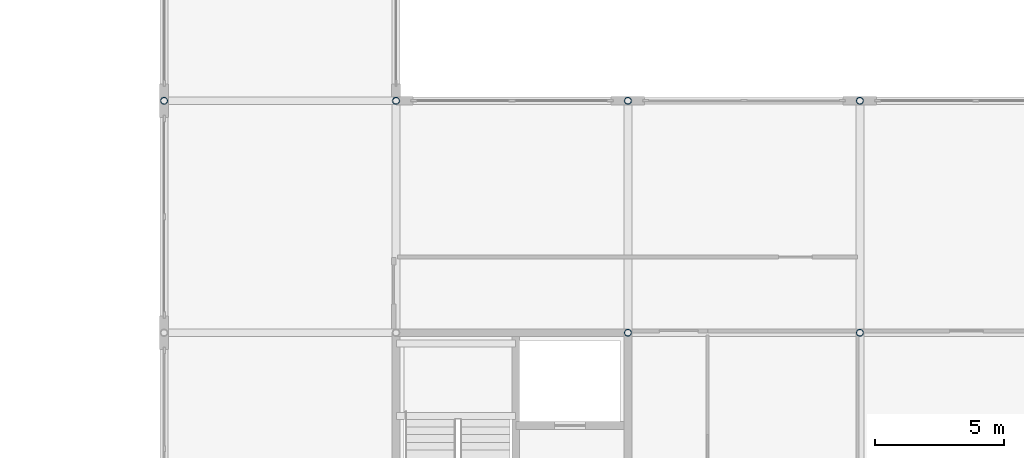
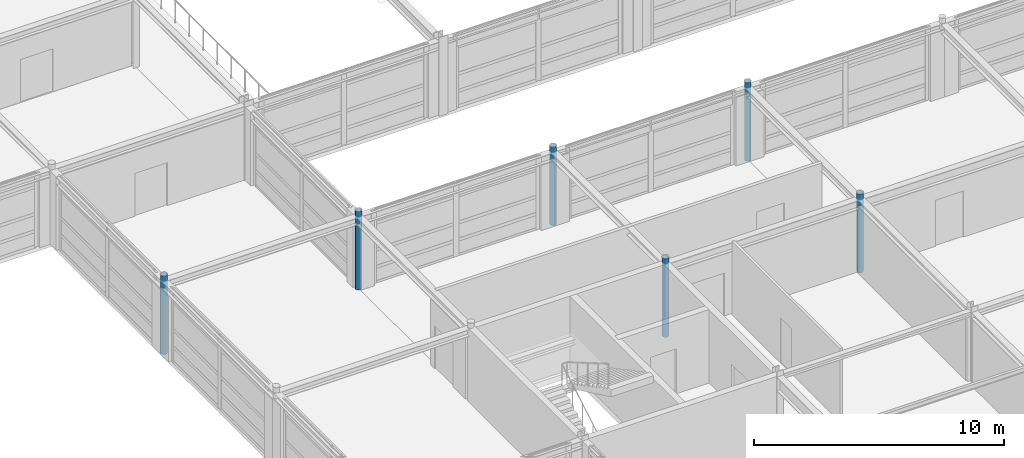
# One storey, part 8 of 79: 6 columns.
"""IFC4 building model written with IfcOpenShell, lengths in metres."""

import ifcopenshell
import ifcopenshell.guid

model = None  # the IFC model being written
_history = None  # IfcOwnerHistory: only IFC2X3 demands one
_inside = {}  # id of a spatial element -> (the spatial element, [elements in it])
_under = {}  # id of a project, library or spatial element -> (it, [spatial elements below it])
_declared = {}  # id of a project -> (the project, [libraries it declares])
_typed = {}  # id of a type object -> (the type object, [elements of that type])
_made_of = {}  # id of a material, layer set ... -> (it, [elements and type objects made of it])


def new_model(schema):
    """Start an empty IFC model of exactly this schema.

    Asked for "IFC4X3", IfcOpenShell would pick the latest addendum, in which some entities
    have other attributes; the version numbers below select the first issue.
    IFC2X3 requires an IfcOwnerHistory on every rooted entity: one is made here for all.
    """
    global model, _history
    if schema == "IFC4X3":
        model = ifcopenshell.file(schema_version=(4, 3, 0, 0))
    else:
        model = ifcopenshell.file(schema=schema)
    _inside.clear()
    _under.clear()
    _declared.clear()
    _typed.clear()
    _made_of.clear()
    _history = None
    if model.schema == "IFC2X3":
        org = make("IfcOrganization", Name="unknown")
        user = make(
            "IfcPersonAndOrganization",
            ThePerson=make("IfcPerson", FamilyName="unknown"),
            TheOrganization=org,
        )
        app = make(
            "IfcApplication",
            ApplicationDeveloper=org,
            Version="unknown",
            ApplicationFullName="unknown",
            ApplicationIdentifier="unknown",
        )
        _history = make(
            "IfcOwnerHistory",
            OwningUser=user,
            OwningApplication=app,
            ChangeAction="ADDED",
            CreationDate=0,
        )
    return model


def make(cls, **values):
    """One entity of the class cls with the attributes given. An attribute that is None is left unset."""
    return model.create_entity(
        cls, **{name: value for name, value in values.items() if value is not None}
    )


def rooted(cls, **values):
    """An entity with a GlobalId (a new one), such as an element, a storey or a relation."""
    return make(cls, GlobalId=ifcopenshell.guid.new(), OwnerHistory=_history, **values)


def si_unit(unit_type, name, prefix=None):
    """IfcSIUnit, for example si_unit("LENGTHUNIT", "METRE", prefix="MILLI")."""
    return make("IfcSIUnit", UnitType=unit_type, Prefix=prefix, Name=name)


def assignment(units):
    """IfcUnitAssignment: the units of a project."""
    return None if units is None else make("IfcUnitAssignment", Units=units)


def point(xyz):
    """IfcCartesianPoint."""
    return None if xyz is None else make("IfcCartesianPoint", Coordinates=xyz)


def direction(xyz):
    """IfcDirection."""
    return None if xyz is None else make("IfcDirection", DirectionRatios=xyz)


def frame(location, z_axis=None, x_axis=None):
    """IfcAxis2Placement3D, a coordinate frame: its origin and axes. An axis left out is left unset."""
    return make(
        "IfcAxis2Placement3D",
        Location=point(location),
        Axis=direction(z_axis),
        RefDirection=direction(x_axis),
    )


def frame_2d(location, x_axis=None):
    """IfcAxis2Placement2D, a coordinate frame in the plane: its origin and x axis."""
    return make(
        "IfcAxis2Placement2D", Location=point(location), RefDirection=direction(x_axis)
    )


def origin():
    """The frame at (0, 0, 0) with its axes left unset."""
    return frame((0.0, 0.0, 0.0))


def origin_2d():
    """The frame at (0, 0) in the plane with its x axis left unset."""
    return frame_2d((0.0, 0.0))


def place(relative_to, where):
    """IfcLocalPlacement: puts the frame where relative to a parent placement (None: the world)."""
    return make(
        "IfcLocalPlacement", PlacementRelTo=relative_to, RelativePlacement=where
    )


def context(
    kind, dimensions, precision=None, world=None, true_north=None, identifier=None
):
    """IfcGeometricRepresentationContext, for example the 3D "Model" context."""
    return make(
        "IfcGeometricRepresentationContext",
        ContextIdentifier=identifier,
        ContextType=kind,
        CoordinateSpaceDimension=dimensions,
        Precision=precision,
        WorldCoordinateSystem=world,
        TrueNorth=true_north,
    )


def subcontext(parent, identifier, kind, view, scale=None):
    """IfcGeometricRepresentationSubContext, for example "Body" below "Model"."""
    return make(
        "IfcGeometricRepresentationSubContext",
        ContextIdentifier=identifier,
        ContextType=kind,
        ParentContext=parent,
        TargetScale=scale,
        TargetView=view,
    )


def project(units=None, contexts=None):
    """IfcProject with its units and contexts."""
    return rooted(
        "IfcProject",
        Name="project",
        RepresentationContexts=contexts,
        UnitsInContext=assignment(units),
    )


def spatial(cls, under=None, at=None, **own):
    """A site, building, storey or space (cls), placed at a placement, below another one or the project."""
    s = rooted(cls, ObjectPlacement=at, **own)
    if under is not None:
        _under.setdefault(under.id(), (under, []))[1].append(s)
    return s


def profile(cls, at=None, kind="AREA", **sizes):
    """A parametric profile (cls). Its sizes go by their IFC names, for example OverallWidth=200.0."""
    return make(cls, ProfileType=kind, Position=at, **sizes)


def hollow_circle(**sizes):
    """IfcCircleHollowProfileDef."""
    return profile("IfcCircleHollowProfileDef", **sizes)


def extrude(swept, where, along, depth):
    """IfcExtrudedAreaSolid: the profile swept, set in the frame where, extruded along a direction by depth."""
    return make(
        "IfcExtrudedAreaSolid",
        SweptArea=swept,
        Position=where,
        ExtrudedDirection=direction(along),
        Depth=depth,
    )


def shape(context_of_items, identifier, shape_type, items):
    """IfcShapeRepresentation: the items that make up one representation, for example the "Body"."""
    return make(
        "IfcShapeRepresentation",
        ContextOfItems=context_of_items,
        RepresentationIdentifier=identifier,
        RepresentationType=shape_type,
        Items=items,
    )


def material(Name=None, Category=None):
    """IfcMaterial."""
    return make("IfcMaterial", Name=Name, Category=Category)


def material_profile(
    of_material, cross_section, Name=None, Category=None, Priority=None
):
    """IfcMaterialProfile: a cross section and its material."""
    return make(
        "IfcMaterialProfile",
        Name=Name,
        Material=of_material,
        Profile=cross_section,
        Priority=Priority,
        Category=Category,
    )


def profile_set(profiles, Name=None, composite=None):
    """IfcMaterialProfileSet."""
    return make(
        "IfcMaterialProfileSet",
        Name=Name,
        MaterialProfiles=profiles,
        CompositeProfile=composite,
    )


def made_of(thing, what):
    """Note that an element or type object is made of a material, layer set ...; save() writes the relation."""
    if what is not None:
        _made_of.setdefault(what.id(), (what, []))[1].append(thing)
    return thing


def type_object(cls, material=None, **own):
    """A type object (cls), such as IfcWallType, which elements share."""
    return made_of(rooted(cls, **own), material)


def element(
    cls,
    number,
    at=None,
    inside=None,
    cuts=None,
    type_object=None,
    material=None,
    context=None,
    identifier="Body",
    shape_type=None,
    held_by="IfcProductDefinitionShape",
    body=None,
    shapes=None,
    **own,
):
    """One element of the class cls, such as IfcWall. Its Tag is "e" and its number.

    at: its placement. inside: the storey or other place that contains it. cuts: it is an
    opening in that element (IfcRelVoidsElement). A single representation is given by context,
    identifier, shape_type and body (its items); several are given by shapes. held_by: the class
    of the entity that holds the representations. save() writes the other relations.
    """
    e = rooted(cls, Tag="e%d" % number, ObjectPlacement=at, **own)
    if body is not None:
        shapes = [shape(context, identifier, shape_type, body)]
    if shapes is not None:
        e.Representation = make(held_by, Representations=shapes)
    if inside is not None:
        _inside.setdefault(inside.id(), (inside, []))[1].append(e)
    if cuts is not None:
        rooted(
            "IfcRelVoidsElement", RelatingBuildingElement=cuts, RelatedOpeningElement=e
        )
    if type_object is not None:
        _typed.setdefault(type_object.id(), (type_object, []))[1].append(e)
    return made_of(e, material)


def aggregate(whole, parts):
    """IfcRelAggregates: a whole, such as a stair, and the parts it consists of."""
    return rooted("IfcRelAggregates", RelatingObject=whole, RelatedObjects=parts)


def save(model, path):
    """Write the relations noted so far, then the file.

    IfcRelAggregates (storeys below a building ...), IfcRelContainedInSpatialStructure (elements
    in a storey), IfcRelDefinesByType, IfcRelAssociatesMaterial and IfcRelDeclares: one each for
    every whole, place, type object, material and project.
    """
    for whole, parts in _under.values():
        aggregate(whole, parts)
    for where, things in _inside.values():
        rooted(
            "IfcRelContainedInSpatialStructure",
            RelatedElements=things,
            RelatingStructure=where,
        )
    for kind, things in _typed.values():
        rooted("IfcRelDefinesByType", RelatedObjects=things, RelatingType=kind)
    for what, things in _made_of.values():
        rooted("IfcRelAssociatesMaterial", RelatedObjects=things, RelatingMaterial=what)
    for by, libraries in _declared.values():
        rooted("IfcRelDeclares", RelatingContext=by, RelatedDefinitions=libraries)
    model.write(path)


model = new_model("IFC4")

# Units and contexts
model_context = context("Model", 3, precision=1e-05, world=origin(), true_north=direction((0.0, 1.0)))
body_context = subcontext(model_context, "Body", "Model", "MODEL_VIEW")
ifc_project = project(units=[si_unit("LENGTHUNIT", "METRE"), si_unit("AREAUNIT", "SQUARE_METRE"), si_unit("VOLUMEUNIT", "CUBIC_METRE"), si_unit("PLANEANGLEUNIT", "RADIAN"), si_unit("MASSUNIT", "GRAM", prefix="KILO")], contexts=[model_context])

# Site, building, storey
site_placement = place(None, origin())
site = spatial("IfcSite", under=ifc_project, at=site_placement, CompositionType="ELEMENT")
building_placement = place(site_placement, origin())
building = spatial("IfcBuilding", under=site, at=building_placement, Name="Palais des Congres Ocreval", CompositionType="ELEMENT")
storey_placement = place(building_placement, frame((0.0, 0.0, 4.320068359375)))
storey = spatial("IfcBuildingStorey", under=building, at=storey_placement, Name="L01", CompositionType="ELEMENT", Elevation=4.320068359375)

# Columns
ifc_material = material(Name="Steel S355", Category="steel")
ifc_material_profile = material_profile(ifc_material, hollow_circle(Radius=0.136474609375, WallThickness=0.012451171875, at=origin_2d()), Name="CHS 273x12.5")
ifc_profile_set = profile_set([ifc_material_profile], Name="Steel S355")
column_type = type_object("IfcColumnType", Name="Column CHS 273x12.5 Steel S355", PredefinedType="COLUMN", material=ifc_profile_set)
for number, where, z_axis, x_axis, name in (
    (1, (99.0, 63.0, 0.0), (0.0, 0.0, 1.0), (1.0, 0.0, 0.0), "Column C17 L01"),
    (2, (108.0, 63.0, 0.0), (0.0, 0.0, 1.0), (1.0, 0.0, 0.0), "Column C17 L01"),
    (3, (117.0, 54.0, 0.0), (0.0, 0.0, 1.0), (1.0, 0.0, 0.0), "Column C17 L01"),
    (4, (117.0, 63.0, 0.0), (0.0, 0.0, 1.0), (1.0, 0.0, 0.0), "Column C17 L01"),
    (5, (126.0, 54.0, 0.0), (0.0, 0.0, 1.0), (1.0, 0.0, 0.0), "Column C17 L01"),
    (6, (126.0, 63.0, 0.0), (0.0, 0.0, 1.0), (1.0, 0.0, 0.0), "Column C17 L01"),
):
    element("IfcColumn", number, at=place(storey_placement, frame(where, z_axis=z_axis, x_axis=x_axis)), inside=storey, type_object=column_type, Name=name, PredefinedType="COLUMN", context=body_context, shape_type="SweptSolid", body=[
        extrude(hollow_circle(Radius=0.136474609375, WallThickness=0.012451171875, at=origin_2d()), origin(), (0.0, 0.0, 1.0), 3.83984375),
    ])

save(model, "model.ifc")
